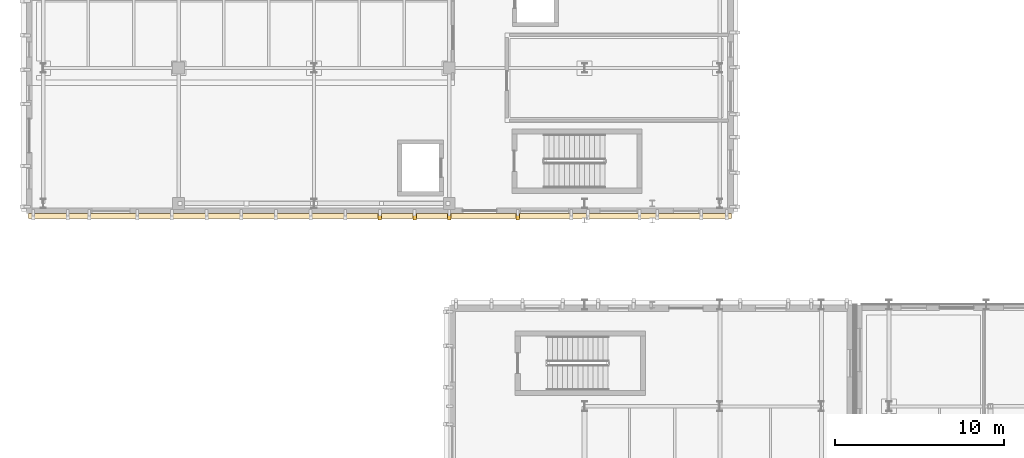
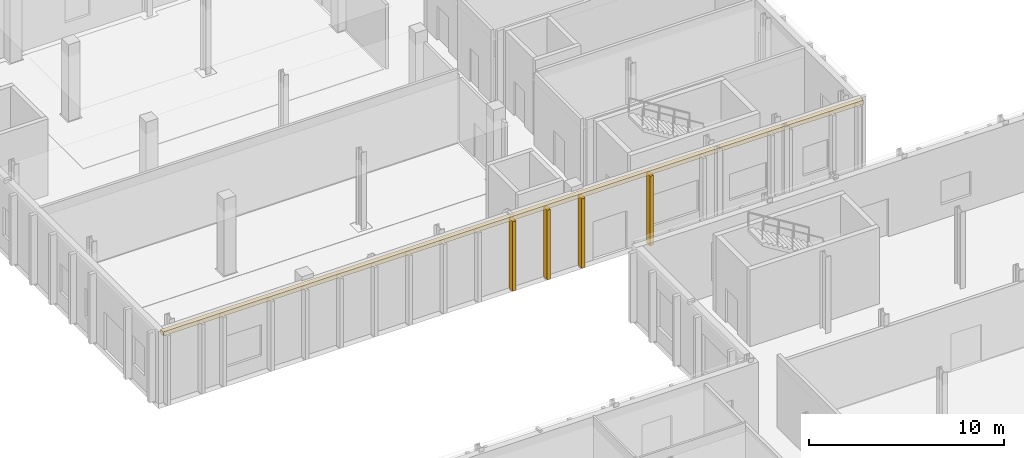
# One storey, part 45 of 60: 5 coverings.
"""IFC4 building model written with IfcOpenShell, lengths in metres."""

from ifc_helpers import new_model, si_unit, direction, frame, origin, origin_2d, place, context, subcontext, project, spatial, rectangle, extrude, material, layer, layer_set, type_object, element, save


model = new_model("IFC4")

# Units and contexts
model_context = context("Model", 3, precision=1e-05, world=origin(), true_north=direction((0.0, 1.0)))
body_context = subcontext(model_context, "Body", "Model", "MODEL_VIEW")
ifc_project = project(units=[si_unit("LENGTHUNIT", "METRE"), si_unit("AREAUNIT", "SQUARE_METRE"), si_unit("VOLUMEUNIT", "CUBIC_METRE"), si_unit("PLANEANGLEUNIT", "RADIAN"), si_unit("MASSUNIT", "GRAM", prefix="KILO")], contexts=[model_context])

# Site, building, storey
site_placement = place(None, origin())
site = spatial("IfcSite", under=ifc_project, at=site_placement, CompositionType="ELEMENT")
building_placement = place(site_placement, origin())
building = spatial("IfcBuilding", under=site, at=building_placement, Name="Cymarion Research Institute", CompositionType="ELEMENT")
storey_placement = place(building_placement, origin())
storey = spatial("IfcBuildingStorey", under=building, at=storey_placement, Name="L00", CompositionType="ELEMENT", Elevation=0.0)

# Coverings
ifc_material = material(Name="Precast concrete C45/55 architectural white", Category="concrete")
ifc_layer_1 = layer(ifc_material, 0.260009765625)
ifc_layer_set_1 = layer_set([ifc_layer_1], Name="Precast concrete C45/55 architectural white")
covering_type_1 = type_object("IfcCoveringType", Name="SCULPTURAL WHITE PRECAST CONCRETE SPANDREL BROW BAND RIB2 280MM", PredefinedType="CLADDING", material=ifc_layer_set_1)
covering_placement = place(storey_placement, frame((26.5, 46.758056640625, 4.39013671875), z_axis=(0.0, 0.0, 1.0), x_axis=(0.0, -1.0, 0.0)))
element("IfcCovering", 1, at=covering_placement, inside=storey, type_object=covering_type_1, Name="L00 V4 precast spandrel brow band RIB2 #71", PredefinedType="CLADDING", context=body_context, shape_type="SweptSolid", body=[
    extrude(rectangle(XDim=0.280029296875, YDim=41.56005859375, at=origin_2d()), origin(), (0.0, 0.0, 1.0), 0.260009765625),
])
ifc_layer_2 = layer(ifc_material, 0.199951171875)
ifc_layer_set_2 = layer_set([ifc_layer_2], Name="Precast concrete C45/55 architectural white")
covering_type_2 = type_object("IfcCoveringType", Name="SCULPTURAL WHITE PRECAST CONCRETE VERTICAL RIB RIB1 380X200", PredefinedType="CLADDING", material=ifc_layer_set_2)
for number, where, z_axis, x_axis, name in (
    (2, (26.5, 46.7080078125, 0.010009765625), (0.0, 0.0, 1.0), (0.0, -1.0, 0.0), "L00 V4 sculptural precast vertical rib RIB1 #82"),
    (3, (28.550048828125, 46.7080078125, 0.010009765625), (0.0, 0.0, 1.0), (0.0, -1.0, 0.0), "L00 V4 sculptural precast vertical rib RIB1 #83"),
    (4, (30.60009765625, 46.7080078125, 0.010009765625), (0.0, 0.0, 1.0), (0.0, -1.0, 0.0), "L00 V4 sculptural precast vertical rib RIB1 #84"),
    (5, (34.655029296875, 46.7080078125, 0.010009765625), (0.0, 0.0, 1.0), (0.0, -1.0, 0.0), "L00 V4 sculptural precast vertical rib RIB1 #85"),
):
    element("IfcCovering", number, at=place(storey_placement, frame(where, z_axis=z_axis, x_axis=x_axis)), inside=storey, type_object=covering_type_2, Name=name, PredefinedType="CLADDING", context=body_context, shape_type="SweptSolid", body=[
        extrude(rectangle(XDim=0.3798828125, YDim=0.199951171875, at=origin_2d()), origin(), (0.0, 0.0, 1.0), 4.375),
    ])

save(model, "model.ifc")
